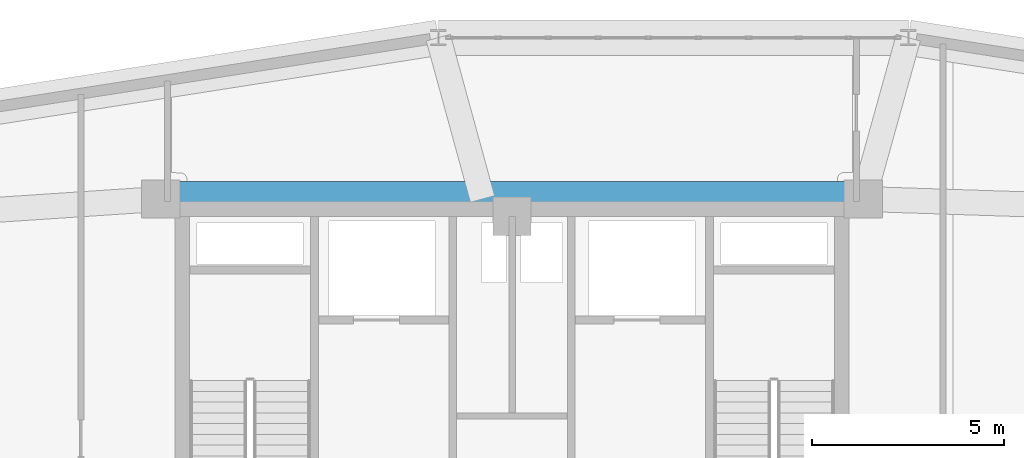
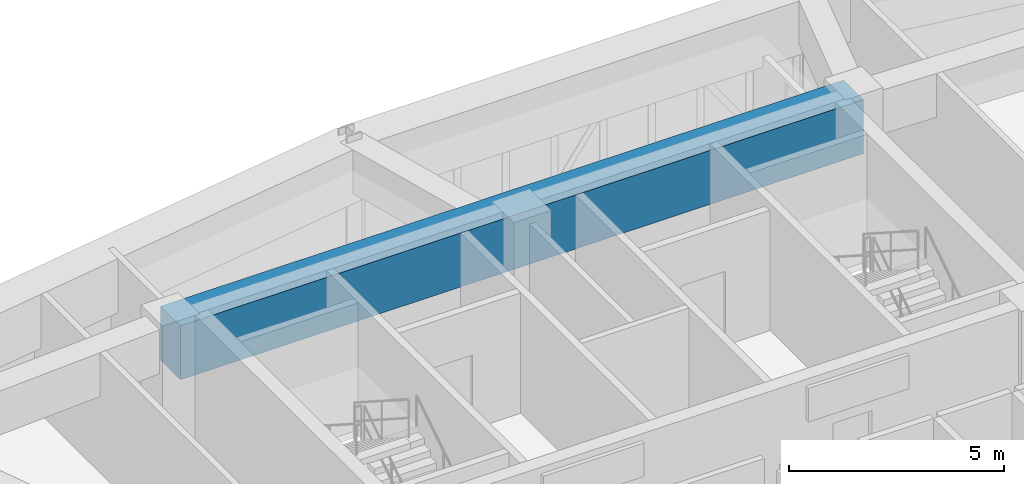
# One storey, part 12 of 19: 1 beam.
"""IFC4 building model written with IfcOpenShell, lengths in metres."""

from ifc_helpers import new_model, si_unit, derived_unit, direction, frame, origin, origin_2d, place, context, subcontext, project, spatial, rectangle, extrude, source, transform, mapped, material, material_profile, profile_set, type_object, element, save


model = new_model("IFC4")

# Units and contexts
model_context = context("Model", 3, precision=1e-05, world=origin(), true_north=direction((0.0, 1.0)))
body_context = subcontext(model_context, "Body", "Model", "MODEL_VIEW")
ifc_project = project(units=[si_unit("LENGTHUNIT", "METRE"), si_unit("AREAUNIT", "SQUARE_METRE"), si_unit("VOLUMEUNIT", "CUBIC_METRE"), si_unit("PLANEANGLEUNIT", "RADIAN"), si_unit("MASSUNIT", "GRAM", prefix="KILO"), derived_unit("THERMALTRANSMITTANCEUNIT", [(si_unit("POWERUNIT", "WATT"), 1), (si_unit("LENGTHUNIT", "METRE"), -2), (si_unit("THERMODYNAMICTEMPERATUREUNIT", "KELVIN"), -1)])], contexts=[model_context])

# Site, building, storey
site_placement = place(None, origin())
site = spatial("IfcSite", under=ifc_project, at=site_placement, CompositionType="ELEMENT")
building_placement = place(site_placement, origin())
building = spatial("IfcBuilding", under=site, at=building_placement, Name="Korsvarv Bourse and Concert Hall", CompositionType="ELEMENT")
storey_placement = place(building_placement, frame((0.0, 0.0, 223.800048828125)))
storey = spatial("IfcBuildingStorey", under=building, at=storey_placement, Name="L58", CompositionType="ELEMENT", Elevation=223.800048828125)

# Beam
ifc_material = material(Name="Concrete C50/60", Category="concrete")
ifc_material_profile = material_profile(ifc_material, rectangle(XDim=0.919921875, YDim=1.530029296875, at=origin_2d()), Name="RC-BM 920x1530")
ifc_profile_set = profile_set([ifc_material_profile], Name="Concrete C50/60")
beam_type = type_object("IfcBeamType", Name="BM-TR-154", PredefinedType="BEAM", material=ifc_profile_set)
shared_shape = source(origin(), body_context, "Body", "SweptSolid", [
    extrude(rectangle(XDim=0.919921875, YDim=1.530029296875, at=origin_2d()), origin(), (0.0, 0.0, 1.0), 18.2998046875),
])
beam_placement = place(storey_placement, frame((26.85009765625, 47.25, 2.64501953125), z_axis=(1.0, 0.0, 0.0), x_axis=(0.0, 1.0, 0.0)))
element("IfcBeam", 1, at=beam_placement, inside=storey, type_object=beam_type, Name="L58 beam B-TR6", PredefinedType="BEAM", context=body_context, shape_type="MappedRepresentation", body=[
    mapped(shared_shape, transform((0.0, 0.0, 0.0), scale=1.0)),
])

save(model, "model.ifc")
